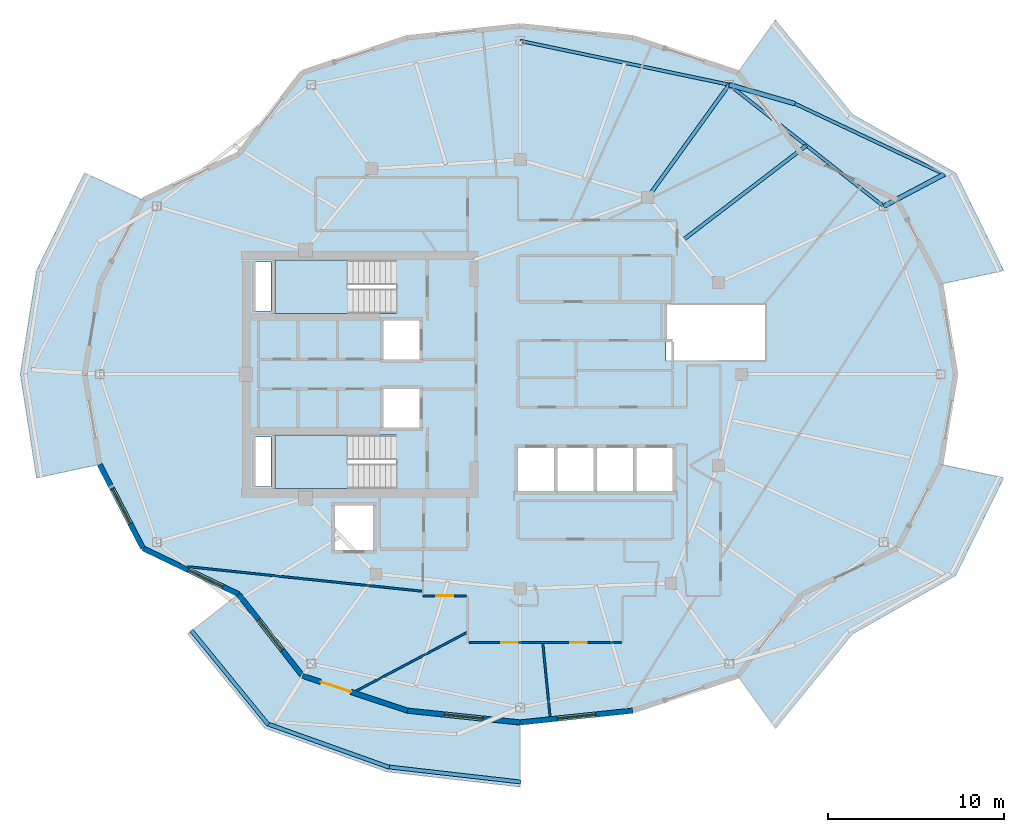
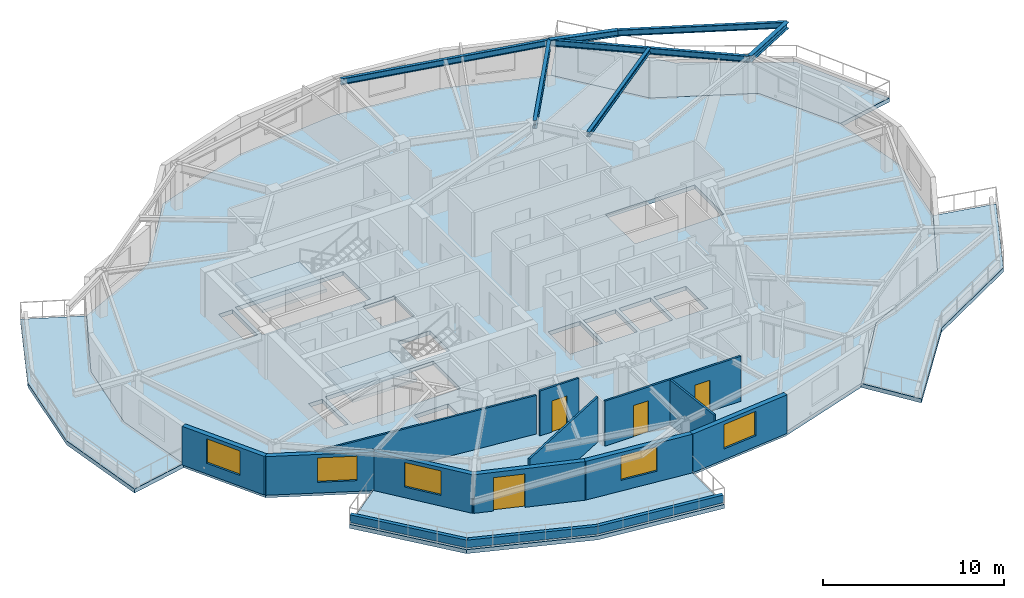
# One storey, part 2 of 10: 14 walls, 7 beams, 7 slabs, 5 windows, 4 doors, 9 openings, 2 elements without a shape of their own.
"""IFC4 building model written with IfcOpenShell, lengths in metres."""

from ifc_helpers import new_model, si_unit, direction, frame, frame_2d, origin, origin_2d, place, context, subcontext, project, spatial, polyline, rectangle, i_section, outline, extrude, material, layer, layer_set, material_profile, profile_set, type_object, element, fill, aggregate, save


model = new_model("IFC4")

# Units and contexts
model_context = context("Model", 3, precision=1e-05, world=origin(), true_north=direction((0.0, 1.0)))
body_context = subcontext(model_context, "Body", "Model", "MODEL_VIEW")
ifc_project = project(units=[si_unit("LENGTHUNIT", "METRE"), si_unit("AREAUNIT", "SQUARE_METRE"), si_unit("VOLUMEUNIT", "CUBIC_METRE"), si_unit("PLANEANGLEUNIT", "RADIAN"), si_unit("MASSUNIT", "GRAM", prefix="KILO")], contexts=[model_context])

# Site, building, storey
site_placement = place(None, origin())
site = spatial("IfcSite", under=ifc_project, at=site_placement, CompositionType="ELEMENT")
building_placement = place(site_placement, origin())
building = spatial("IfcBuilding", under=site, at=building_placement, Name="Kolvaren Gate Tower and Convention Centre", CompositionType="ELEMENT")
storey_placement = place(building_placement, frame((0.0, 0.0, 203.0)))
storey = spatial("IfcBuildingStorey", under=building, at=storey_placement, Name="L53", CompositionType="ELEMENT", Elevation=203.0)

# Beams
ifc_material_1 = material(Name="Structural steel ASTM A992 Grade 345 MPa", Category="steel")
ifc_material_profile_1 = material_profile(ifc_material_1, i_section(OverallWidth=0.260009765625, OverallDepth=0.419921875, WebThickness=0.013427734375, FlangeThickness=0.0224609375, at=origin_2d()), Name="W410X132")
ifc_profile_set_1 = profile_set([ifc_material_profile_1], Name="Structural steel ASTM A992 Grade 345 MPa")
beam_type_1 = type_object("IfcBeamType", Name="STR-BM-W410X132", PredefinedType="BEAM", material=ifc_profile_set_1)
for number, where, z_axis, x_axis, name in (
    (1, (50.787353515625, 36.543701171875, 2.820556640625), (0.88362340532, 0.468198331448, 0.0), (-0.468198331448, 0.88362340532, 0.0), "Tower L54 Planted Balcony Outrigger Cantilever BC-1A"),
    (2, (42.002685546875, 43.4580078125, 2.820556640625), (0.960795374216, -0.277258451421, 0.0), (0.277258451421, 0.960795374216, 0.0), "Tower L54 Planted Balcony Outrigger Cantilever BC-1B"),
):
    element("IfcBeam", number, at=place(storey_placement, frame(where, z_axis=z_axis, x_axis=x_axis)), inside=storey, type_object=beam_type_1, Name=name, PredefinedType="BEAM", context=body_context, shape_type="SweptSolid", body=[
        extrude(i_section(OverallWidth=0.260009765625, OverallDepth=0.419921875, WebThickness=0.013427734375, FlangeThickness=0.0224609375, at=origin_2d()), origin(), (0.0, 0.0, 1.0), 3.89990234375),
    ])
ifc_material_profile_2 = material_profile(ifc_material_1, i_section(OverallWidth=0.2119140625, OverallDepth=0.5439453125, WebThickness=0.01318359375, FlangeThickness=0.021240234375, at=origin_2d()), Name="W530X123")
ifc_profile_set_2 = profile_set([ifc_material_profile_2], Name="Structural steel ASTM A992 Grade 345 MPa")
beam_type_2 = type_object("IfcBeamType", Name="STR-BM-W530X123", PredefinedType="BEAM", material=ifc_profile_set_2)
beam_1_placement = place(storey_placement, frame((37.381591796875, 37.054931640625, 2.758056640625), z_axis=(0.585211694794, 0.810880553643, 0.0), x_axis=(-0.810880553643, 0.585211694794, 0.0)))
element("IfcBeam", 3, at=beam_1_placement, inside=storey, type_object=beam_type_2, Name="Tower L53 Radial Floor Girder RB-03", PredefinedType="BEAM", context=body_context, shape_type="SweptSolid", body=[
    extrude(i_section(OverallWidth=0.2119140625, OverallDepth=0.5439453125, WebThickness=0.01318359375, FlangeThickness=0.021240234375, at=origin_2d()), origin(), (0.0, 0.0, 1.0), 7.896484375),
])
ifc_material_profile_3 = material_profile(ifc_material_1, i_section(OverallWidth=0.205078125, OverallDepth=0.31005859375, WebThickness=0.009521484375, FlangeThickness=0.016357421875, at=origin_2d()), Name="W310X74")
ifc_profile_set_3 = profile_set([ifc_material_profile_3], Name="Structural steel ASTM A992 Grade 345 MPa")
beam_type_3 = type_object("IfcBeamType", Name="STR-JS-W310X74", PredefinedType="JOIST", material=ifc_profile_set_3)
beam_2_placement = place(storey_placement, frame((39.3818359375, 34.627197265625, 2.875), z_axis=(0.793783340844, 0.608200631205, 0.0), x_axis=(-0.608200631205, 0.793783340844, 0.0)))
element("IfcBeam", 4, at=beam_2_placement, inside=storey, type_object=beam_type_3, Name="Tower L53 Secondary Composite Floor Joist J-02.1", PredefinedType="JOIST", context=body_context, shape_type="SweptSolid", body=[
    extrude(i_section(OverallWidth=0.205078125, OverallDepth=0.31005859375, WebThickness=0.009521484375, FlangeThickness=0.016357421875, at=origin_2d()), origin(), (0.0, 0.0, 1.0), 8.835205078125),
])
ifc_material_profile_4 = material_profile(ifc_material_1, i_section(OverallWidth=0.180908203125, OverallDepth=0.4169921875, WebThickness=0.010986328125, FlangeThickness=0.018310546875, at=origin_2d()), Name="W410X85")
ifc_profile_set_4 = profile_set([ifc_material_profile_4], Name="Structural steel ASTM A992 Grade 345 MPa")
beam_type_4 = type_object("IfcBeamType", Name="STR-SP-W410X85", PredefinedType="SPANDREL", material=ifc_profile_set_4)
beam_3_placement = place(storey_placement, frame((50.787353515625, 36.543701171875, 2.821533203125), z_axis=(-0.78579365551, 0.618488747643, 0.0), x_axis=(-0.618488747643, -0.78579365551, 0.0)))
element("IfcBeam", 5, at=beam_3_placement, inside=storey, type_object=beam_type_4, Name="Tower L53 Perimeter Spandrel Beam SP-02", PredefinedType="SPANDREL", context=body_context, shape_type="SweptSolid", body=[
    extrude(i_section(OverallWidth=0.180908203125, OverallDepth=0.4169921875, WebThickness=0.010986328125, FlangeThickness=0.018310546875, at=origin_2d()), origin(), (0.0, 0.0, 1.0), 11.179443359375),
])
beam_4_placement = place(storey_placement, frame((42.002685546875, 43.4580078125, 2.821533203125), z_axis=(-0.978692765917, 0.205330148645, 0.0), x_axis=(-0.205330148645, -0.978692765917, 0.0)))
element("IfcBeam", 6, at=beam_4_placement, inside=storey, type_object=beam_type_4, Name="Tower L53 Perimeter Spandrel Beam SP-03", PredefinedType="SPANDREL", context=body_context, shape_type="SweptSolid", body=[
    extrude(i_section(OverallWidth=0.180908203125, OverallDepth=0.4169921875, WebThickness=0.010986328125, FlangeThickness=0.018310546875, at=origin_2d()), origin(), (0.0, 0.0, 1.0), 12.13623046875),
])
beam_5_placement = place(storey_placement, frame((54.2333984375, 38.36962890625, 2.822021484375), z_axis=(-0.90421096583, 0.427086091173, 0.0), x_axis=(-0.427086091173, -0.90421096583, 0.0)))
element("IfcBeam", 7, at=beam_5_placement, inside=storey, type_object=beam_type_4, Name="Tower L54 Planted Balcony Header Tie Beam BT-1", PredefinedType="SPANDREL", context=body_context, shape_type="SweptSolid", body=[
    extrude(i_section(OverallWidth=0.180908203125, OverallDepth=0.4169921875, WebThickness=0.010986328125, FlangeThickness=0.018310546875, at=origin_2d()), origin(), (0.0, 0.0, 1.0), 9.38232421875),
])

# Slabs
ifc_material_2 = material(Name="Concrete C50/60", Category="concrete")
ifc_layer_1 = layer(ifc_material_2, 0.27001953125)
ifc_layer_set_1 = layer_set([ifc_layer_1], Name="Concrete C50/60")
slab_type_1 = type_object("IfcSlabType", Name="STR-SL-BALC-270", PredefinedType="FLOOR", material=ifc_layer_set_1)
slab_1_placement = place(storey_placement, frame((0.0, 0.0, -0.27001953125)))
element("IfcSlab", 8, at=slab_1_placement, inside=storey, type_object=slab_type_1, Name="Tower L53 Planted Balcony Terrace Slab 1 (East)", PredefinedType="FLOOR", context=body_context, shape_type="SweptSolid", body=[
    extrude(outline(polyline([(54.03173828125, 32.12451171875), (51.55908203125, 36.89990234375), (46.132568359375, 39.50732421875), (42.5, 44.147216796875), (44.641845703125, 47.114990234375), (49.0166015625, 41.7607421875), (54.8818359375, 38.434814453125), (57.6103515625, 32.8916015625), (54.03173828125, 32.12451171875)])), origin(), (0.0, 0.0, 1.0), 0.27001953125),
])
slab_2_placement = place(storey_placement, frame((0.0, 0.0, -0.27001953125)))
element("IfcSlab", 9, at=slab_2_placement, inside=storey, type_object=slab_type_1, Name="Tower L53 Planted Balcony Terrace Slab 2 (West)", PredefinedType="FLOOR", context=body_context, shape_type="SweptSolid", body=[
    extrude(outline(polyline([(8.69091796875, 36.89990234375), (6.21826171875, 32.12451171875), (5.375, 27.0), (6.21826171875, 21.87548828125), (2.6396484375, 21.1083984375), (1.715087890625, 27.0), (2.6396484375, 32.8916015625), (5.3681640625, 38.434814453125), (8.69091796875, 36.89990234375)])), origin(), (0.0, 0.0, 1.0), 0.27001953125),
])
slab_3_placement = place(storey_placement, frame((0.0, 0.0, -0.27001953125)))
element("IfcSlab", 10, at=slab_3_placement, inside=storey, type_object=slab_type_1, Name="Tower L53 Planted Balcony Terrace Slab 3 (South)", PredefinedType="FLOOR", context=body_context, shape_type="SweptSolid", body=[
    extrude(outline(polyline([(14.117431640625, 14.49267578125), (17.75, 9.852783203125), (23.71923828125, 7.874755859375), (30.125, 7.199951171875), (30.125, 3.5400390625), (22.556884765625, 4.404296875), (15.608154296875, 6.885009765625), (11.2333984375, 12.2392578125), (14.117431640625, 14.49267578125)])), origin(), (0.0, 0.0, 1.0), 0.27001953125),
])
slab_4_placement = place(storey_placement, frame((0.0, 0.0, -0.27001953125)))
element("IfcSlab", 11, at=slab_4_placement, inside=storey, type_object=slab_type_1, Name="Tower L53 Planted Balcony Terrace Slab 4 (East)", PredefinedType="FLOOR", context=body_context, shape_type="SweptSolid", body=[
    extrude(outline(polyline([(42.5, 9.852783203125), (46.132568359375, 14.49267578125), (51.55908203125, 17.10009765625), (54.03173828125, 21.87548828125), (57.6103515625, 21.1083984375), (54.8818359375, 15.565185546875), (49.0166015625, 12.2392578125), (44.641845703125, 6.885009765625), (42.5, 9.852783203125)])), origin(), (0.0, 0.0, 1.0), 0.27001953125),
])
ifc_material_3 = material(Name="Concrete C40/50", Category="concrete")
ifc_layer_2 = layer(ifc_material_3, 0.27001953125)
ifc_layer_set_2 = layer_set([ifc_layer_2], Name="Concrete C40/50")
slab_type_2 = type_object("IfcSlabType", Name="STR-SL-FLR-270", PredefinedType="FLOOR", material=ifc_layer_set_2)
slab_5_placement = place(storey_placement, frame((0.0, 0.0, -0.27001953125)))
element("IfcSlab", 12, at=slab_5_placement, inside=storey, type_object=slab_type_2, Name="Tower L53 Structural Floor Slab", PredefinedType="FLOOR", context=body_context, shape_type="SweptSolid", body=[
    extrude(outline(polyline([(54.875, 27.0), (54.03173828125, 32.12451171875), (51.55908203125, 36.89990234375), (46.132568359375, 39.50732421875), (42.5, 44.147216796875), (36.53076171875, 46.125244140625), (30.125, 46.800048828125), (23.71923828125, 46.125244140625), (17.75, 44.147216796875), (14.117431640625, 39.50732421875), (8.69091796875, 36.89990234375), (6.21826171875, 32.12451171875), (5.375, 27.0), (6.21826171875, 21.87548828125), (8.69091796875, 17.10009765625), (14.117431640625, 14.49267578125), (17.75, 9.852783203125), (23.71923828125, 7.874755859375), (30.125, 7.199951171875), (36.53076171875, 7.874755859375), (42.5, 9.852783203125), (46.132568359375, 14.49267578125), (51.55908203125, 17.10009765625), (54.03173828125, 21.87548828125), (54.875, 27.0)]), holes=[polyline([(38.39990234375, 27.75), (38.39990234375, 31.0), (44.10009765625, 31.0), (44.10009765625, 27.75), (38.39990234375, 27.75)]), polyline([(38.800048828125, 20.35009765625), (36.75, 20.35009765625), (36.75, 22.800048828125), (38.800048828125, 22.800048828125), (38.800048828125, 20.35009765625)]), polyline([(34.5, 20.35009765625), (34.5, 22.800048828125), (36.550048828125, 22.800048828125), (36.550048828125, 20.35009765625), (34.5, 20.35009765625)]), polyline([(32.25, 20.35009765625), (32.25, 22.800048828125), (34.300048828125, 22.800048828125), (34.300048828125, 20.35009765625), (32.25, 20.35009765625)]), polyline([(32.050048828125, 20.35009765625), (30.0, 20.35009765625), (30.0, 22.800048828125), (32.050048828125, 22.800048828125), (32.050048828125, 20.35009765625)]), polyline([(22.35009765625, 23.9599609375), (22.35009765625, 26.159912109375), (24.39990234375, 26.159912109375), (24.39990234375, 23.9599609375), (22.35009765625, 23.9599609375)]), polyline([(24.39990234375, 27.840087890625), (22.35009765625, 27.840087890625), (22.35009765625, 30.0400390625), (24.39990234375, 30.0400390625), (24.39990234375, 27.840087890625)]), polyline([(23.10009765625, 23.5400390625), (23.10009765625, 20.5), (16.199951171875, 20.5), (16.199951171875, 23.5400390625), (23.10009765625, 23.5400390625)]), polyline([(23.10009765625, 33.5), (23.10009765625, 30.4599609375), (16.199951171875, 30.4599609375), (16.199951171875, 33.5), (23.10009765625, 33.5)]), polyline([(21.75, 17.0), (19.60009765625, 17.0), (19.60009765625, 19.550048828125), (21.75, 19.550048828125), (21.75, 17.0)]), polyline([(15.080078125, 20.6298828125), (15.080078125, 23.419921875), (15.969970703125, 23.419921875), (15.969970703125, 20.6298828125), (15.080078125, 20.6298828125)]), polyline([(15.080078125, 30.580078125), (15.080078125, 33.3701171875), (15.969970703125, 33.3701171875), (15.969970703125, 30.580078125), (15.080078125, 30.580078125)])]), origin(), (0.0, 0.0, 1.0), 0.27001953125),
])

# Stair, slab
stair_type = type_object("IfcStairType", Name="STR-STAIR-CORE", PredefinedType="HALF_TURN_STAIR", material=ifc_material_2)
stair_1_placement = place(storey_placement, origin())
stair_1 = element("IfcStair", 13, at=stair_1_placement, inside=storey, type_object=stair_type, Name="L53 Tower North Exit Stair ST-T1", PredefinedType="HALF_TURN_STAIR")
ifc_layer_3 = layer(ifc_material_2, 0.199951171875)
ifc_layer_set_3 = layer_set([ifc_layer_3], Name="Concrete C50/60")
slab_type_3 = type_object("IfcSlabType", Name="STR-SL-LAND-200", PredefinedType="LANDING", material=ifc_layer_set_3)
slab_6_placement = place(storey_placement, frame((0.0, 0.0, 1.449951171875)))
slab_6 = element("IfcSlab", 14, at=slab_6_placement, type_object=slab_type_3, Name="ST-T1 landing 1", PredefinedType="LANDING", context=body_context, shape_type="SweptSolid", body=[
    extrude(outline(polyline([(20.31005859375, 33.5), (16.199951171875, 33.5), (16.199951171875, 30.4599609375), (20.31005859375, 30.4599609375), (20.31005859375, 33.5)])), origin(), (0.0, 0.0, 1.0), 0.199951171875),
])
aggregate(stair_1, [slab_6])

stair_2_placement = place(storey_placement, origin())
stair_2 = element("IfcStair", 15, at=stair_2_placement, inside=storey, type_object=stair_type, Name="L53 Tower South Exit Stair ST-T2", PredefinedType="HALF_TURN_STAIR")
slab_7_placement = place(storey_placement, frame((0.0, 0.0, 1.449951171875)))
slab_7 = element("IfcSlab", 16, at=slab_7_placement, type_object=slab_type_3, Name="ST-T2 landing 1", PredefinedType="LANDING", context=body_context, shape_type="SweptSolid", body=[
    extrude(outline(polyline([(20.31005859375, 23.5400390625), (16.199951171875, 23.5400390625), (16.199951171875, 20.5), (20.31005859375, 20.5), (20.31005859375, 23.5400390625)])), origin(), (0.0, 0.0, 1.0), 0.199951171875),
])
aggregate(stair_2, [slab_7])

# Wall, opening, door
ifc_material_4 = material(Name="Fire-Rated Acoustic Gypsum Stud Partition", Category="gypsum")
ifc_layer_4 = layer(ifc_material_4, 0.1201171875)
ifc_layer_set_4 = layer_set([ifc_layer_4], Name="Fire-Rated Acoustic Gypsum Stud Partition")
wall_type_1 = type_object("IfcWallType", Name="ARCH-WL-PART-120", PredefinedType="PARTITIONING", material=ifc_layer_set_4)
wall_1_placement = place(storey_placement, frame((24.60009765625, 14.39990234375, 0.0), z_axis=(0.0, 0.0, 1.0), x_axis=(1.0, 0.0, 0.0)))
wall_1 = element("IfcWall", 17, at=wall_1_placement, inside=storey, type_object=wall_type_1, Name="Interior Partition WL-L53-INT-050", PredefinedType="PARTITIONING", context=body_context, shape_type="SweptSolid", body=[
    extrude(rectangle(XDim=2.48779296875, YDim=0.1201171875, at=frame_2d((1.243896484375, 0.0))), origin(), (0.0, 0.0, 1.0), 3.030029296875),
])
opening_1_placement = place(wall_1_placement, frame((0.76904296875, 0.0, 0.0)))
opening_1 = element("IfcOpeningElement", 18, at=opening_1_placement, cuts=wall_1, Name="Opening DR-01", PredefinedType="OPENING", context=body_context, shape_type="SweptSolid", body=[
    extrude(rectangle(XDim=0.949951171875, YDim=2.10009765625, at=frame_2d((0.47509765625, 1.050048828125))), frame((0.0, 0.070068359375, 0.0), z_axis=(0.0, -1.0, 0.0), x_axis=(1.0, 0.0, 0.0)), (0.0, 0.0, 1.0), 0.14013671875),
])
ifc_material_5 = material(Name="Painted Architectural Steelwork ASTM A500 Grade C 345 MPa", Category="steel")
door_type_1 = type_object("IfcDoorType", Name="ARCH-DR-RISER-950", OperationType="SINGLE_SWING_RIGHT", PredefinedType="DOOR", material=ifc_material_5)
door_1_placement = place(opening_1_placement, origin())
door_1 = element("IfcDoor", 19, at=door_1_placement, inside=storey, type_object=door_type_1, Name="Resident Co-Working Office Door", OperationType="SINGLE_SWING_RIGHT", OverallHeight=2.10009765625, OverallWidth=0.949951171875, PredefinedType="DOOR", context=body_context, shape_type="SweptSolid", body=[
    extrude(rectangle(XDim=0.949951171875, YDim=2.10009765625, at=frame_2d((0.47509765625, 1.050048828125))), frame((0.0, 0.02490234375, 0.0), z_axis=(0.0, -1.0, 0.0), x_axis=(1.0, 0.0, 0.0)), (0.0, 0.0, 1.0), 0.050048828125),
])
fill(opening_1, door_1)

# Wall, openings, doors
wall_2_placement = place(storey_placement, frame((27.2119140625, 11.75, 0.0), z_axis=(0.0, 0.0, 1.0), x_axis=(1.0, 0.0, 0.0)))
wall_2 = element("IfcWall", 20, at=wall_2_placement, inside=storey, type_object=wall_type_1, Name="Interior Partition WL-L53-INT-062", PredefinedType="PARTITIONING", context=body_context, shape_type="SweptSolid", body=[
    extrude(rectangle(XDim=8.676025390625, YDim=0.1201171875, at=frame_2d((4.337890625, 0.0))), origin(), (0.0, 0.0, 1.0), 3.030029296875),
])
opening_2_placement = place(wall_2_placement, frame((1.830078125, 0.0, 0.0)))
opening_2 = element("IfcOpeningElement", 21, at=opening_2_placement, cuts=wall_2, Name="Opening DR-01", PredefinedType="OPENING", context=body_context, shape_type="SweptSolid", body=[
    extrude(rectangle(XDim=0.949951171875, YDim=2.10009765625, at=frame_2d((0.47509765625, 1.050048828125))), frame((0.0, 0.070068359375, 0.0), z_axis=(0.0, -1.0, 0.0), x_axis=(1.0, 0.0, 0.0)), (0.0, 0.0, 1.0), 0.14013671875),
])
opening_3_placement = place(wall_2_placement, frame((5.7568359375, 0.0, 0.0)))
opening_3 = element("IfcOpeningElement", 22, at=opening_3_placement, cuts=wall_2, Name="Opening DR-01", PredefinedType="OPENING", context=body_context, shape_type="SweptSolid", body=[
    extrude(rectangle(XDim=0.949951171875, YDim=2.10009765625, at=frame_2d((0.47509765625, 1.050048828125))), frame((0.0, 0.070068359375, 0.0), z_axis=(0.0, -1.0, 0.0), x_axis=(1.0, 0.0, 0.0)), (0.0, 0.0, 1.0), 0.14013671875),
])
door_2_placement = place(opening_2_placement, origin())
door_2 = element("IfcDoor", 23, at=door_2_placement, inside=storey, type_object=door_type_1, Name="Resident Co-Working Office Door", OperationType="SINGLE_SWING_LEFT", OverallHeight=2.10009765625, OverallWidth=0.949951171875, PredefinedType="DOOR", context=body_context, shape_type="SweptSolid", body=[
    extrude(rectangle(XDim=0.949951171875, YDim=2.10009765625, at=frame_2d((0.47509765625, 1.050048828125))), frame((0.0, 0.02490234375, 0.0), z_axis=(0.0, -1.0, 0.0), x_axis=(1.0, 0.0, 0.0)), (0.0, 0.0, 1.0), 0.050048828125),
])
fill(opening_2, door_2)
door_3_placement = place(opening_3_placement, origin())
door_3 = element("IfcDoor", 24, at=door_3_placement, inside=storey, type_object=door_type_1, Name="Resident Co-Working Office Door", OperationType="SINGLE_SWING_RIGHT", OverallHeight=2.10009765625, OverallWidth=0.949951171875, PredefinedType="DOOR", context=body_context, shape_type="SweptSolid", body=[
    extrude(rectangle(XDim=0.949951171875, YDim=2.10009765625, at=frame_2d((0.47509765625, 1.050048828125))), frame((0.0, 0.02490234375, 0.0), z_axis=(0.0, -1.0, 0.0), x_axis=(1.0, 0.0, 0.0)), (0.0, 0.0, 1.0), 0.050048828125),
])
fill(opening_3, door_3)

# Walls
wall_3_placement = place(storey_placement, frame((11.19921875, 16.0634765625, 0.0), z_axis=(0.0, 0.0, 1.0), x_axis=(0.994553027345, -0.104231836785, 0.0)))
element("IfcWall", 25, at=wall_3_placement, inside=storey, type_object=wall_type_1, Name="Interior Partition WL-L53-INT-068", PredefinedType="PARTITIONING", context=body_context, shape_type="SweptSolid", body=[
    extrude(rectangle(XDim=13.411865234375, YDim=0.1201171875, at=frame_2d((6.7060546875, 0.0))), origin(), (0.0, 0.0, 1.0), 2.60498046875),
])
wall_4_placement = place(storey_placement, frame((20.81298828125, 8.997802734375, 0.0), z_axis=(0.0, 0.0, 1.0), x_axis=(0.884227698582, 0.467056074856, 0.0)))
element("IfcWall", 26, at=wall_4_placement, inside=storey, type_object=wall_type_1, Name="Interior Partition WL-L53-INT-069", PredefinedType="PARTITIONING", context=body_context, shape_type="SweptSolid", body=[
    extrude(rectangle(XDim=7.096435546875, YDim=0.1201171875, at=frame_2d((3.54833984375, 0.0))), origin(), (0.0, 0.0, 1.0), 3.030029296875),
])
wall_5_placement = place(storey_placement, frame((31.4169921875, 11.68798828125, 0.0), z_axis=(0.0, 0.0, 1.0), x_axis=(0.097923390467, -0.995193955769, 0.0)))
element("IfcWall", 27, at=wall_5_placement, inside=storey, type_object=wall_type_1, Name="Interior Partition WL-L53-INT-071", PredefinedType="PARTITIONING", context=body_context, shape_type="SweptSolid", body=[
    extrude(rectangle(XDim=4.176025390625, YDim=0.1201171875, at=frame_2d((2.087890625, 0.0))), origin(), (0.0, 0.0, 1.0), 3.030029296875),
])
ifc_material_6 = material(Name="Piedmont Cream Honed Limestone Cladding", Category="masonry")
ifc_layer_5 = layer(ifc_material_6, 0.219970703125)
ifc_layer_set_5 = layer_set([ifc_layer_5], Name="Piedmont Cream Honed Limestone Cladding")
wall_type_2 = type_object("IfcWallType", Name="ARCH-WL-PLANTER-220", PredefinedType="PARAPET", material=ifc_layer_set_5)
wall_6_placement = place(storey_placement, frame((11.42724609375, 12.44140625, 0.0), z_axis=(0.0, 0.0, 1.0), x_axis=(0.632697312147, -0.774399193699, 0.0)))
element("IfcWall", 28, at=wall_6_placement, inside=storey, type_object=wall_type_2, Name="Vertical-Forest Balcony Stone Planter Kerb PK-L53-3.1", PredefinedType="PARAPET", context=body_context, shape_type="SweptSolid", body=[
    extrude(rectangle(XDim=6.9140625, YDim=0.219970703125, at=frame_2d((3.45703125, 0.0))), origin(), (0.0, 0.0, 1.0), 0.52001953125),
])
wall_7_placement = place(storey_placement, frame((15.73681640625, 7.133544921875, 0.0), z_axis=(0.0, 0.0, 1.0), x_axis=(0.941780086523, -0.336229488042, 0.0)))
element("IfcWall", 29, at=wall_7_placement, inside=storey, type_object=wall_type_2, Name="Vertical-Forest Balcony Stone Planter Kerb PK-L53-3.2", PredefinedType="PARAPET", context=body_context, shape_type="SweptSolid", body=[
    extrude(rectangle(XDim=7.3779296875, YDim=0.219970703125, at=frame_2d((3.68896484375, 0.0))), origin(), (0.0, 0.0, 1.0), 0.52001953125),
])
wall_8_placement = place(storey_placement, frame((22.602294921875, 4.680419921875, 0.0), z_axis=(0.0, 0.0, 1.0), x_axis=(0.993546198781, -0.113428175021, 0.0)))
element("IfcWall", 30, at=wall_8_placement, inside=storey, type_object=wall_type_2, Name="Vertical-Forest Balcony Stone Planter Kerb PK-L53-3.3", PredefinedType="PARAPET", context=body_context, shape_type="SweptSolid", body=[
    extrude(rectangle(XDim=7.6171875, YDim=0.219970703125, at=frame_2d((3.80859375, 0.0))), origin(), (0.0, 0.0, 1.0), 0.52001953125),
])

# Wall, opening, window
ifc_layer_6 = layer(ifc_material_6, 0.300048828125)
ifc_layer_set_6 = layer_set([ifc_layer_6], Name="Piedmont Cream Honed Limestone Cladding")
wall_type_3 = type_object("IfcWallType", Name="ARCH-WL-STONE-300", PredefinedType="SOLIDWALL", material=ifc_layer_set_6)
wall_9_placement = place(storey_placement, frame((6.21826171875, 21.87548828125, 0.0), z_axis=(0.0, 0.0, 1.0), x_axis=(0.459808219482, -0.888018243786, 0.0)))
wall_9 = element("IfcWall", 31, at=wall_9_placement, inside=storey, type_object=wall_type_3, Name="Tower L53 Honed Stone Spandrel Wall EW-13", PredefinedType="SOLIDWALL", context=body_context, shape_type="SweptSolid", body=[
    extrude(rectangle(XDim=5.377685546875, YDim=0.300048828125, at=frame_2d((2.68896484375, 0.0))), origin(), (0.0, 0.0, 1.0), 2.60498046875),
])
opening_4_placement = place(wall_9_placement, frame((1.589111328125, 0.0, 0.719970703125)))
opening_4 = element("IfcOpeningElement", 32, at=opening_4_placement, cuts=wall_9, Name="Opening W-03", PredefinedType="OPENING", context=body_context, shape_type="SweptSolid", body=[
    extrude(rectangle(XDim=2.199951171875, YDim=1.64990234375, at=frame_2d((1.10009765625, 0.824951171875))), frame((0.0, 0.159912109375, 0.0), z_axis=(0.0, -1.0, 0.0), x_axis=(1.0, 0.0, 0.0)), (0.0, 0.0, 1.0), 0.320068359375),
])
ifc_material_7 = material(Name="Low-E Triple Insulated Glazing Unit 44 mm", Category="glass")
window_type = type_object("IfcWindowType", Name="ARCH-WN-RES-2200", PartitioningType="SINGLE_PANEL", PredefinedType="WINDOW", material=ifc_material_7)
window_1_placement = place(opening_4_placement, origin())
window_1 = element("IfcWindow", 33, at=window_1_placement, inside=storey, type_object=window_type, Name="Tower L53 Punched Stone Facade Window W-13", OverallHeight=1.64990234375, OverallWidth=2.199951171875, PartitioningType="SINGLE_PANEL", PredefinedType="WINDOW", context=body_context, shape_type="SweptSolid", body=[
    extrude(rectangle(XDim=2.199951171875, YDim=1.64990234375, at=frame_2d((1.10009765625, 0.824951171875))), frame((0.0, 0.030029296875, 0.0), z_axis=(0.0, -1.0, 0.0), x_axis=(1.0, 0.0, 0.0)), (0.0, 0.0, 1.0), 0.06005859375),
])
fill(opening_4, window_1)

wall_10_placement = place(storey_placement, frame((8.69091796875, 17.10009765625, 0.0), z_axis=(0.0, 0.0, 1.0), x_axis=(0.901348331142, -0.433094892545, 0.0)))
wall_10 = element("IfcWall", 34, at=wall_10_placement, inside=storey, type_object=wall_type_3, Name="Tower L53 Honed Stone Spandrel Wall EW-14", PredefinedType="SOLIDWALL", context=body_context, shape_type="SweptSolid", body=[
    extrude(rectangle(XDim=6.0205078125, YDim=0.300048828125, at=frame_2d((3.01025390625, 0.0))), origin(), (0.0, 0.0, 1.0), 2.60498046875),
])
opening_5_placement = place(wall_10_placement, frame((2.85009765625, 0.0, 0.719970703125)))
opening_5 = element("IfcOpeningElement", 35, at=opening_5_placement, cuts=wall_10, Name="Opening W-03", PredefinedType="OPENING", context=body_context, shape_type="SweptSolid", body=[
    extrude(rectangle(XDim=2.199951171875, YDim=1.64990234375, at=frame_2d((1.10009765625, 0.824951171875))), frame((0.0, 0.159912109375, 0.0), z_axis=(0.0, -1.0, 0.0), x_axis=(1.0, 0.0, 0.0)), (0.0, 0.0, 1.0), 0.320068359375),
])
window_2_placement = place(opening_5_placement, origin())
window_2 = element("IfcWindow", 36, at=window_2_placement, inside=storey, type_object=window_type, Name="Tower L53 Punched Stone Facade Window W-14", OverallHeight=1.64990234375, OverallWidth=2.199951171875, PartitioningType="SINGLE_PANEL", PredefinedType="WINDOW", context=body_context, shape_type="SweptSolid", body=[
    extrude(rectangle(XDim=2.199951171875, YDim=1.64990234375, at=frame_2d((1.10009765625, 0.824951171875))), frame((0.0, 0.030029296875, 0.0), z_axis=(0.0, -1.0, 0.0), x_axis=(1.0, 0.0, 0.0)), (0.0, 0.0, 1.0), 0.06005859375),
])
fill(opening_5, window_2)

wall_11_placement = place(storey_placement, frame((14.117431640625, 14.49267578125, 0.0), z_axis=(0.0, 0.0, 1.0), x_axis=(0.616450126935, -0.787393955401, 0.0)))
wall_11 = element("IfcWall", 37, at=wall_11_placement, inside=storey, type_object=wall_type_3, Name="Tower L53 Honed Stone Spandrel Wall EW-15", PredefinedType="SOLIDWALL", context=body_context, shape_type="SweptSolid", body=[
    extrude(rectangle(XDim=5.892822265625, YDim=0.300048828125, at=frame_2d((2.9462890625, 0.0))), origin(), (0.0, 0.0, 1.0), 2.60498046875),
])
opening_6_placement = place(wall_11_placement, frame((1.845947265625, 0.0, 0.719970703125)))
opening_6 = element("IfcOpeningElement", 38, at=opening_6_placement, cuts=wall_11, Name="Opening W-03", PredefinedType="OPENING", context=body_context, shape_type="SweptSolid", body=[
    extrude(rectangle(XDim=2.199951171875, YDim=1.64990234375, at=frame_2d((1.10009765625, 0.824951171875))), frame((0.0, 0.159912109375, 0.0), z_axis=(0.0, -1.0, 0.0), x_axis=(1.0, 0.0, 0.0)), (0.0, 0.0, 1.0), 0.320068359375),
])
window_3_placement = place(opening_6_placement, origin())
window_3 = element("IfcWindow", 39, at=window_3_placement, inside=storey, type_object=window_type, Name="Tower L53 Punched Stone Facade Window W-15", OverallHeight=1.64990234375, OverallWidth=2.199951171875, PartitioningType="SINGLE_PANEL", PredefinedType="WINDOW", context=body_context, shape_type="SweptSolid", body=[
    extrude(rectangle(XDim=2.199951171875, YDim=1.64990234375, at=frame_2d((1.10009765625, 0.824951171875))), frame((0.0, 0.030029296875, 0.0), z_axis=(0.0, -1.0, 0.0), x_axis=(1.0, 0.0, 0.0)), (0.0, 0.0, 1.0), 0.06005859375),
])
fill(opening_6, window_3)

# Wall, opening, door
wall_12_placement = place(storey_placement, frame((17.75, 9.852783203125, 0.0), z_axis=(0.0, 0.0, 1.0), x_axis=(0.949240877604, -0.314550085495, 0.0)))
wall_12 = element("IfcWall", 40, at=wall_12_placement, inside=storey, type_object=wall_type_3, Name="Tower L53 Honed Stone Spandrel Wall EW-16", PredefinedType="SOLIDWALL", context=body_context, shape_type="SweptSolid", body=[
    extrude(rectangle(XDim=6.288330078125, YDim=0.300048828125, at=frame_2d((3.14404296875, 0.0))), origin(), (0.0, 0.0, 1.0), 2.60498046875),
])
opening_7_placement = place(wall_12_placement, frame((1.10009765625, 0.0, 0.0)))
opening_7 = element("IfcOpeningElement", 41, at=opening_7_placement, cuts=wall_12, Name="Opening DB-01", PredefinedType="OPENING", context=body_context, shape_type="SweptSolid", body=[
    extrude(rectangle(XDim=1.800048828125, YDim=2.25, at=frame_2d((0.89990234375, 1.125))), frame((0.0, 0.159912109375, 0.0), z_axis=(0.0, -1.0, 0.0), x_axis=(1.0, 0.0, 0.0)), (0.0, 0.0, 1.0), 0.320068359375),
])
ifc_material_8 = material(Name="Anodized Architectural Aluminium Alloy 6063-T6", Category="aluminium")
door_type_2 = type_object("IfcDoorType", Name="ARCH-DR-BALC-1800", OperationType="SLIDING_TO_LEFT", PredefinedType="DOOR", material=ifc_material_8)
door_4_placement = place(opening_7_placement, frame((1.800048828125, 0.0, 0.0), z_axis=(0.0, 0.0, 1.0), x_axis=(-1.0, 0.0, 0.0)))
door_4 = element("IfcDoor", 42, at=door_4_placement, inside=storey, type_object=door_type_2, Name="Planted Sky Terrace Access Door DB-L53-16", OperationType="SLIDING_TO_LEFT", OverallHeight=2.25, OverallWidth=1.800048828125, PredefinedType="DOOR", context=body_context, shape_type="SweptSolid", body=[
    extrude(rectangle(XDim=1.800048828125, YDim=2.25, at=frame_2d((0.89990234375, 1.125))), frame((0.0, 0.02490234375, 0.0), z_axis=(0.0, -1.0, 0.0), x_axis=(1.0, 0.0, 0.0)), (0.0, 0.0, 1.0), 0.050048828125),
])
fill(opening_7, door_4)

# Wall, opening, window
wall_13_placement = place(storey_placement, frame((23.71923828125, 7.874755859375, 0.0), z_axis=(0.0, 0.0, 1.0), x_axis=(0.994497142298, -0.104763705363, 0.0)))
wall_13 = element("IfcWall", 43, at=wall_13_placement, inside=storey, type_object=wall_type_3, Name="Tower L53 Honed Stone Spandrel Wall EW-17", PredefinedType="SOLIDWALL", context=body_context, shape_type="SweptSolid", body=[
    extrude(rectangle(XDim=6.441162109375, YDim=0.300048828125, at=frame_2d((3.220703125, 0.0))), origin(), (0.0, 0.0, 1.0), 2.60498046875),
])
opening_8_placement = place(wall_13_placement, frame((2.12109375, 0.0, 0.719970703125)))
opening_8 = element("IfcOpeningElement", 44, at=opening_8_placement, cuts=wall_13, Name="Opening W-03", PredefinedType="OPENING", context=body_context, shape_type="SweptSolid", body=[
    extrude(rectangle(XDim=2.199951171875, YDim=1.64990234375, at=frame_2d((1.10009765625, 0.824951171875))), frame((0.0, 0.159912109375, 0.0), z_axis=(0.0, -1.0, 0.0), x_axis=(1.0, 0.0, 0.0)), (0.0, 0.0, 1.0), 0.320068359375),
])
window_4_placement = place(opening_8_placement, origin())
window_4 = element("IfcWindow", 45, at=window_4_placement, inside=storey, type_object=window_type, Name="Tower L53 Punched Stone Facade Window W-17", OverallHeight=1.64990234375, OverallWidth=2.199951171875, PartitioningType="SINGLE_PANEL", PredefinedType="WINDOW", context=body_context, shape_type="SweptSolid", body=[
    extrude(rectangle(XDim=2.199951171875, YDim=1.64990234375, at=frame_2d((1.10009765625, 0.824951171875))), frame((0.0, 0.030029296875, 0.0), z_axis=(0.0, -1.0, 0.0), x_axis=(1.0, 0.0, 0.0)), (0.0, 0.0, 1.0), 0.06005859375),
])
fill(opening_8, window_4)

wall_14_placement = place(storey_placement, frame((30.125, 7.199951171875, 0.0), z_axis=(0.0, 0.0, 1.0), x_axis=(0.994497142298, 0.104763705363, 0.0)))
wall_14 = element("IfcWall", 46, at=wall_14_placement, inside=storey, type_object=wall_type_3, Name="Tower L53 Honed Stone Spandrel Wall EW-18", PredefinedType="SOLIDWALL", context=body_context, shape_type="SweptSolid", body=[
    extrude(rectangle(XDim=6.441162109375, YDim=0.300048828125, at=frame_2d((3.220703125, 0.0))), origin(), (0.0, 0.0, 1.0), 2.60498046875),
])
opening_9_placement = place(wall_14_placement, frame((2.12109375, 0.0, 0.719970703125)))
opening_9 = element("IfcOpeningElement", 47, at=opening_9_placement, cuts=wall_14, Name="Opening W-03", PredefinedType="OPENING", context=body_context, shape_type="SweptSolid", body=[
    extrude(rectangle(XDim=2.199951171875, YDim=1.64990234375, at=frame_2d((1.10009765625, 0.824951171875))), frame((0.0, 0.159912109375, 0.0), z_axis=(0.0, -1.0, 0.0), x_axis=(1.0, 0.0, 0.0)), (0.0, 0.0, 1.0), 0.320068359375),
])
window_5_placement = place(opening_9_placement, origin())
window_5 = element("IfcWindow", 48, at=window_5_placement, inside=storey, type_object=window_type, Name="Tower L53 Punched Stone Facade Window W-18", OverallHeight=1.64990234375, OverallWidth=2.199951171875, PartitioningType="SINGLE_PANEL", PredefinedType="WINDOW", context=body_context, shape_type="SweptSolid", body=[
    extrude(rectangle(XDim=2.199951171875, YDim=1.64990234375, at=frame_2d((1.10009765625, 0.824951171875))), frame((0.0, 0.030029296875, 0.0), z_axis=(0.0, -1.0, 0.0), x_axis=(1.0, 0.0, 0.0)), (0.0, 0.0, 1.0), 0.06005859375),
])
fill(opening_9, window_5)

save(model, "model.ifc")
